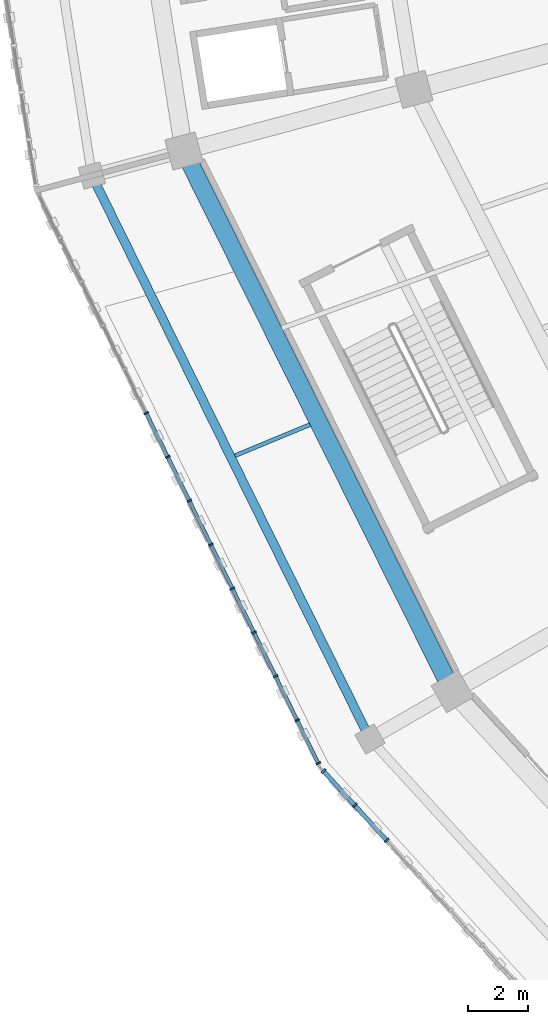
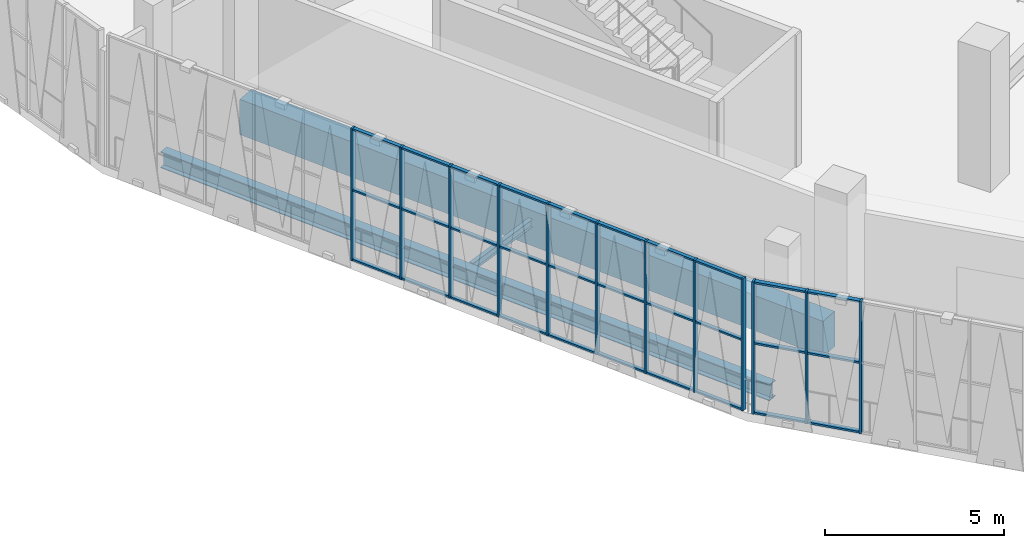
# One storey, part 8 of 179: 42 members, 3 beams, 2 elements without a shape of their own.
"""IFC4 building model written with IfcOpenShell, lengths in metres."""

import ifcopenshell
import ifcopenshell.guid

model = None  # the IFC model being written
_history = None  # IfcOwnerHistory: only IFC2X3 demands one
_inside = {}  # id of a spatial element -> (the spatial element, [elements in it])
_under = {}  # id of a project, library or spatial element -> (it, [spatial elements below it])
_declared = {}  # id of a project -> (the project, [libraries it declares])
_typed = {}  # id of a type object -> (the type object, [elements of that type])
_made_of = {}  # id of a material, layer set ... -> (it, [elements and type objects made of it])


def new_model(schema):
    """Start an empty IFC model of exactly this schema.

    Asked for "IFC4X3", IfcOpenShell would pick the latest addendum, in which some entities
    have other attributes; the version numbers below select the first issue.
    IFC2X3 requires an IfcOwnerHistory on every rooted entity: one is made here for all.
    """
    global model, _history
    if schema == "IFC4X3":
        model = ifcopenshell.file(schema_version=(4, 3, 0, 0))
    else:
        model = ifcopenshell.file(schema=schema)
    _inside.clear()
    _under.clear()
    _declared.clear()
    _typed.clear()
    _made_of.clear()
    _history = None
    if model.schema == "IFC2X3":
        org = make("IfcOrganization", Name="unknown")
        user = make(
            "IfcPersonAndOrganization",
            ThePerson=make("IfcPerson", FamilyName="unknown"),
            TheOrganization=org,
        )
        app = make(
            "IfcApplication",
            ApplicationDeveloper=org,
            Version="unknown",
            ApplicationFullName="unknown",
            ApplicationIdentifier="unknown",
        )
        _history = make(
            "IfcOwnerHistory",
            OwningUser=user,
            OwningApplication=app,
            ChangeAction="ADDED",
            CreationDate=0,
        )
    return model


def make(cls, **values):
    """One entity of the class cls with the attributes given. An attribute that is None is left unset."""
    return model.create_entity(
        cls, **{name: value for name, value in values.items() if value is not None}
    )


def rooted(cls, **values):
    """An entity with a GlobalId (a new one), such as an element, a storey or a relation."""
    return make(cls, GlobalId=ifcopenshell.guid.new(), OwnerHistory=_history, **values)


def si_unit(unit_type, name, prefix=None):
    """IfcSIUnit, for example si_unit("LENGTHUNIT", "METRE", prefix="MILLI")."""
    return make("IfcSIUnit", UnitType=unit_type, Prefix=prefix, Name=name)


def assignment(units):
    """IfcUnitAssignment: the units of a project."""
    return None if units is None else make("IfcUnitAssignment", Units=units)


def point(xyz):
    """IfcCartesianPoint."""
    return None if xyz is None else make("IfcCartesianPoint", Coordinates=xyz)


def direction(xyz):
    """IfcDirection."""
    return None if xyz is None else make("IfcDirection", DirectionRatios=xyz)


def frame(location, z_axis=None, x_axis=None):
    """IfcAxis2Placement3D, a coordinate frame: its origin and axes. An axis left out is left unset."""
    return make(
        "IfcAxis2Placement3D",
        Location=point(location),
        Axis=direction(z_axis),
        RefDirection=direction(x_axis),
    )


def frame_2d(location, x_axis=None):
    """IfcAxis2Placement2D, a coordinate frame in the plane: its origin and x axis."""
    return make(
        "IfcAxis2Placement2D", Location=point(location), RefDirection=direction(x_axis)
    )


def origin():
    """The frame at (0, 0, 0) with its axes left unset."""
    return frame((0.0, 0.0, 0.0))


def origin_2d():
    """The frame at (0, 0) in the plane with its x axis left unset."""
    return frame_2d((0.0, 0.0))


def place(relative_to, where):
    """IfcLocalPlacement: puts the frame where relative to a parent placement (None: the world)."""
    return make(
        "IfcLocalPlacement", PlacementRelTo=relative_to, RelativePlacement=where
    )


def context(
    kind, dimensions, precision=None, world=None, true_north=None, identifier=None
):
    """IfcGeometricRepresentationContext, for example the 3D "Model" context."""
    return make(
        "IfcGeometricRepresentationContext",
        ContextIdentifier=identifier,
        ContextType=kind,
        CoordinateSpaceDimension=dimensions,
        Precision=precision,
        WorldCoordinateSystem=world,
        TrueNorth=true_north,
    )


def subcontext(parent, identifier, kind, view, scale=None):
    """IfcGeometricRepresentationSubContext, for example "Body" below "Model"."""
    return make(
        "IfcGeometricRepresentationSubContext",
        ContextIdentifier=identifier,
        ContextType=kind,
        ParentContext=parent,
        TargetScale=scale,
        TargetView=view,
    )


def project(units=None, contexts=None):
    """IfcProject with its units and contexts."""
    return rooted(
        "IfcProject",
        Name="project",
        RepresentationContexts=contexts,
        UnitsInContext=assignment(units),
    )


def spatial(cls, under=None, at=None, **own):
    """A site, building, storey or space (cls), placed at a placement, below another one or the project."""
    s = rooted(cls, ObjectPlacement=at, **own)
    if under is not None:
        _under.setdefault(under.id(), (under, []))[1].append(s)
    return s


def profile(cls, at=None, kind="AREA", **sizes):
    """A parametric profile (cls). Its sizes go by their IFC names, for example OverallWidth=200.0."""
    return make(cls, ProfileType=kind, Position=at, **sizes)


def rectangle(**sizes):
    """IfcRectangleProfileDef."""
    return profile("IfcRectangleProfileDef", **sizes)


def i_section(**sizes):
    """IfcIShapeProfileDef."""
    return profile("IfcIShapeProfileDef", **sizes)


def extrude(swept, where, along, depth):
    """IfcExtrudedAreaSolid: the profile swept, set in the frame where, extruded along a direction by depth."""
    return make(
        "IfcExtrudedAreaSolid",
        SweptArea=swept,
        Position=where,
        ExtrudedDirection=direction(along),
        Depth=depth,
    )


def shape(context_of_items, identifier, shape_type, items):
    """IfcShapeRepresentation: the items that make up one representation, for example the "Body"."""
    return make(
        "IfcShapeRepresentation",
        ContextOfItems=context_of_items,
        RepresentationIdentifier=identifier,
        RepresentationType=shape_type,
        Items=items,
    )


def material(Name=None, Category=None):
    """IfcMaterial."""
    return make("IfcMaterial", Name=Name, Category=Category)


def material_profile(
    of_material, cross_section, Name=None, Category=None, Priority=None
):
    """IfcMaterialProfile: a cross section and its material."""
    return make(
        "IfcMaterialProfile",
        Name=Name,
        Material=of_material,
        Profile=cross_section,
        Priority=Priority,
        Category=Category,
    )


def profile_set(profiles, Name=None, composite=None):
    """IfcMaterialProfileSet."""
    return make(
        "IfcMaterialProfileSet",
        Name=Name,
        MaterialProfiles=profiles,
        CompositeProfile=composite,
    )


def made_of(thing, what):
    """Note that an element or type object is made of a material, layer set ...; save() writes the relation."""
    if what is not None:
        _made_of.setdefault(what.id(), (what, []))[1].append(thing)
    return thing


def type_object(cls, material=None, **own):
    """A type object (cls), such as IfcWallType, which elements share."""
    return made_of(rooted(cls, **own), material)


def element(
    cls,
    number,
    at=None,
    inside=None,
    cuts=None,
    type_object=None,
    material=None,
    context=None,
    identifier="Body",
    shape_type=None,
    held_by="IfcProductDefinitionShape",
    body=None,
    shapes=None,
    **own,
):
    """One element of the class cls, such as IfcWall. Its Tag is "e" and its number.

    at: its placement. inside: the storey or other place that contains it. cuts: it is an
    opening in that element (IfcRelVoidsElement). A single representation is given by context,
    identifier, shape_type and body (its items); several are given by shapes. held_by: the class
    of the entity that holds the representations. save() writes the other relations.
    """
    e = rooted(cls, Tag="e%d" % number, ObjectPlacement=at, **own)
    if body is not None:
        shapes = [shape(context, identifier, shape_type, body)]
    if shapes is not None:
        e.Representation = make(held_by, Representations=shapes)
    if inside is not None:
        _inside.setdefault(inside.id(), (inside, []))[1].append(e)
    if cuts is not None:
        rooted(
            "IfcRelVoidsElement", RelatingBuildingElement=cuts, RelatedOpeningElement=e
        )
    if type_object is not None:
        _typed.setdefault(type_object.id(), (type_object, []))[1].append(e)
    return made_of(e, material)


def aggregate(whole, parts):
    """IfcRelAggregates: a whole, such as a stair, and the parts it consists of."""
    return rooted("IfcRelAggregates", RelatingObject=whole, RelatedObjects=parts)


def save(model, path):
    """Write the relations noted so far, then the file.

    IfcRelAggregates (storeys below a building ...), IfcRelContainedInSpatialStructure (elements
    in a storey), IfcRelDefinesByType, IfcRelAssociatesMaterial and IfcRelDeclares: one each for
    every whole, place, type object, material and project.
    """
    for whole, parts in _under.values():
        aggregate(whole, parts)
    for where, things in _inside.values():
        rooted(
            "IfcRelContainedInSpatialStructure",
            RelatedElements=things,
            RelatingStructure=where,
        )
    for kind, things in _typed.values():
        rooted("IfcRelDefinesByType", RelatedObjects=things, RelatingType=kind)
    for what, things in _made_of.values():
        rooted("IfcRelAssociatesMaterial", RelatedObjects=things, RelatingMaterial=what)
    for by, libraries in _declared.values():
        rooted("IfcRelDeclares", RelatingContext=by, RelatedDefinitions=libraries)
    model.write(path)


model = new_model("IFC4")

# Units and contexts
model_context = context("Model", 3, precision=1e-05, world=origin(), true_north=direction((0.0, 1.0)))
body_context = subcontext(model_context, "Body", "Model", "MODEL_VIEW")
ifc_project = project(units=[si_unit("LENGTHUNIT", "METRE"), si_unit("AREAUNIT", "SQUARE_METRE"), si_unit("VOLUMEUNIT", "CUBIC_METRE"), si_unit("PLANEANGLEUNIT", "RADIAN"), si_unit("MASSUNIT", "GRAM", prefix="KILO")], contexts=[model_context])

# Site, building, storey
site_placement = place(None, origin())
site = spatial("IfcSite", under=ifc_project, at=site_placement, CompositionType="ELEMENT")
building_placement = place(site_placement, origin())
building = spatial("IfcBuilding", under=site, at=building_placement, Name="Zevraka Park Crest Stadium", CompositionType="ELEMENT")
storey_placement = place(building_placement, frame((0.0, 0.0, 10.199951171875)))
storey = spatial("IfcBuildingStorey", under=building, at=storey_placement, Name="L02", CompositionType="ELEMENT", Elevation=10.199951171875)

# Curtain wall, members
ifc_material_1 = material(Name="Anodised architectural aluminium and laminated safety glass", Category="aluminium")
curtain_wall_type_1 = type_object("IfcCurtainWallType", Name="CW07", PredefinedType="NOTDEFINED", material=ifc_material_1)
curtain_wall_1_placement = place(storey_placement, origin())
curtain_wall_1 = element("IfcCurtainWall", 1, at=curtain_wall_1_placement, inside=storey, type_object=curtain_wall_type_1, Name="Unitised Ring Curtain Wall CW07 L02-13", PredefinedType="NOTDEFINED")
ifc_material_2 = material(Name="Anodised architectural aluminium", Category="aluminium")
ifc_material_profile_1 = material_profile(ifc_material_2, rectangle(XDim=0.159912109375, YDim=0.06005859375, at=origin_2d()), Name="ALU MULLION 160x60")
ifc_profile_set_1 = profile_set([ifc_material_profile_1], Name="Anodised architectural aluminium")
member_type_1 = type_object("IfcMemberType", Name="CM01", PredefinedType="MULLION", material=ifc_profile_set_1)
member_1_placement = place(storey_placement, frame((23.510009765625, 63.704345703125, 0.0), z_axis=(0.0, 0.0, 1.0), x_axis=(0.897496768201, 0.441021032455, 0.0)))
member_1 = element("IfcMember", 2, at=member_1_placement, type_object=member_type_1, Name="CW07 mullion 6", PredefinedType="MULLION", context=body_context, shape_type="SweptSolid", body=[
    extrude(rectangle(XDim=0.159912109375, YDim=0.06005859375, at=origin_2d()), origin(), (0.0, 0.0, 1.0), 4.5),
])
member_2_placement = place(storey_placement, frame((24.234375, 62.22998046875, 0.0), z_axis=(0.0, 0.0, 1.0), x_axis=(0.897496768201, 0.441021032455, 0.0)))
member_2 = element("IfcMember", 3, at=member_2_placement, type_object=member_type_1, Name="CW07 mullion 7", PredefinedType="MULLION", context=body_context, shape_type="SweptSolid", body=[
    extrude(rectangle(XDim=0.159912109375, YDim=0.06005859375, at=origin_2d()), origin(), (0.0, 0.0, 1.0), 4.5),
])
member_3_placement = place(storey_placement, frame((24.958740234375, 60.755859375, 0.0), z_axis=(0.0, 0.0, 1.0), x_axis=(0.897496768201, 0.441021032455, 0.0)))
member_3 = element("IfcMember", 4, at=member_3_placement, type_object=member_type_1, Name="CW07 mullion 8", PredefinedType="MULLION", context=body_context, shape_type="SweptSolid", body=[
    extrude(rectangle(XDim=0.159912109375, YDim=0.06005859375, at=origin_2d()), origin(), (0.0, 0.0, 1.0), 4.5),
])
member_4_placement = place(storey_placement, frame((25.68310546875, 59.28173828125, 0.0), z_axis=(0.0, 0.0, 1.0), x_axis=(0.897496768201, 0.441021032455, 0.0)))
member_4 = element("IfcMember", 5, at=member_4_placement, type_object=member_type_1, Name="CW07 mullion 9", PredefinedType="MULLION", context=body_context, shape_type="SweptSolid", body=[
    extrude(rectangle(XDim=0.159912109375, YDim=0.06005859375, at=origin_2d()), origin(), (0.0, 0.0, 1.0), 4.5),
])
member_5_placement = place(storey_placement, frame((26.407470703125, 57.8076171875, 0.0), z_axis=(0.0, 0.0, 1.0), x_axis=(0.897496768201, 0.441021032455, 0.0)))
member_5 = element("IfcMember", 6, at=member_5_placement, type_object=member_type_1, Name="CW07 mullion 10", PredefinedType="MULLION", context=body_context, shape_type="SweptSolid", body=[
    extrude(rectangle(XDim=0.159912109375, YDim=0.06005859375, at=origin_2d()), origin(), (0.0, 0.0, 1.0), 4.5),
])
member_6_placement = place(storey_placement, frame((27.1318359375, 56.33349609375, 0.0), z_axis=(0.0, 0.0, 1.0), x_axis=(0.897496768201, 0.441021032455, 0.0)))
member_6 = element("IfcMember", 7, at=member_6_placement, type_object=member_type_1, Name="CW07 mullion 11", PredefinedType="MULLION", context=body_context, shape_type="SweptSolid", body=[
    extrude(rectangle(XDim=0.159912109375, YDim=0.06005859375, at=origin_2d()), origin(), (0.0, 0.0, 1.0), 4.5),
])
member_7_placement = place(storey_placement, frame((27.856201171875, 54.859375, 0.0), z_axis=(0.0, 0.0, 1.0), x_axis=(0.897496768201, 0.441021032455, 0.0)))
member_7 = element("IfcMember", 8, at=member_7_placement, type_object=member_type_1, Name="CW07 mullion 12", PredefinedType="MULLION", context=body_context, shape_type="SweptSolid", body=[
    extrude(rectangle(XDim=0.159912109375, YDim=0.06005859375, at=origin_2d()), origin(), (0.0, 0.0, 1.0), 4.5),
])
member_8_placement = place(storey_placement, frame((28.58056640625, 53.38525390625, 0.0), z_axis=(0.0, 0.0, 1.0), x_axis=(0.897496768201, 0.441021032455, 0.0)))
member_8 = element("IfcMember", 9, at=member_8_placement, type_object=member_type_1, Name="CW07 mullion 13", PredefinedType="MULLION", context=body_context, shape_type="SweptSolid", body=[
    extrude(rectangle(XDim=0.159912109375, YDim=0.06005859375, at=origin_2d()), origin(), (0.0, 0.0, 1.0), 4.5),
])
member_9_placement = place(storey_placement, frame((29.291748046875, 51.93798828125, 0.0), z_axis=(0.0, 0.0, 1.0), x_axis=(0.897496768201, 0.441021032455, 0.0)))
member_9 = element("IfcMember", 10, at=member_9_placement, type_object=member_type_1, Name="CW07 mullion 14", PredefinedType="MULLION", context=body_context, shape_type="SweptSolid", body=[
    extrude(rectangle(XDim=0.159912109375, YDim=0.06005859375, at=origin_2d()), origin(), (0.0, 0.0, 1.0), 4.5),
])

ifc_material_3 = material(Name="Anodised architectural aluminium and laminated safety glass", Category="aluminium")
curtain_wall_type_2 = type_object("IfcCurtainWallType", Name="CW08", PredefinedType="NOTDEFINED", material=ifc_material_3)
curtain_wall_2_placement = place(storey_placement, origin())
curtain_wall_2 = element("IfcCurtainWall", 11, at=curtain_wall_2_placement, inside=storey, type_object=curtain_wall_type_2, Name="Unitised Ring Curtain Wall CW08 L02-14", PredefinedType="NOTDEFINED")
ifc_material_4 = material(Name="Anodised architectural aluminium", Category="aluminium")
ifc_material_profile_2 = material_profile(ifc_material_4, rectangle(XDim=0.179931640625, YDim=0.06494140625, at=origin_2d()), Name="ALU MULLION 180x65")
ifc_profile_set_2 = profile_set([ifc_material_profile_2], Name="Anodised architectural aluminium")
member_type_2 = type_object("IfcMemberType", Name="CM02", PredefinedType="MULLION", material=ifc_profile_set_2)
member_10_placement = place(storey_placement, frame((29.469970703125, 51.676025390625, 0.0), z_axis=(0.0, 0.0, 1.0), x_axis=(0.739496877097, 0.673159987494, 0.0)))
member_10 = element("IfcMember", 12, at=member_10_placement, type_object=member_type_2, Name="CW08 mullion 1", PredefinedType="MULLION", context=body_context, shape_type="SweptSolid", body=[
    extrude(rectangle(XDim=0.179931640625, YDim=0.06494140625, at=origin_2d()), origin(), (0.0, 0.0, 1.0), 4.5),
])
member_11_placement = place(storey_placement, frame((30.5185546875, 50.52392578125, 0.0), z_axis=(0.0, 0.0, 1.0), x_axis=(0.739496877097, 0.673159987494, 0.0)))
member_11 = element("IfcMember", 13, at=member_11_placement, type_object=member_type_2, Name="CW08 mullion 2", PredefinedType="MULLION", context=body_context, shape_type="SweptSolid", body=[
    extrude(rectangle(XDim=0.179931640625, YDim=0.06494140625, at=origin_2d()), origin(), (0.0, 0.0, 1.0), 4.5),
])
member_12_placement = place(storey_placement, frame((31.589111328125, 49.347900390625, 0.0), z_axis=(0.0, 0.0, 1.0), x_axis=(0.739496877097, 0.673159987494, 0.0)))
member_12 = element("IfcMember", 14, at=member_12_placement, type_object=member_type_2, Name="CW08 mullion 3", PredefinedType="MULLION", context=body_context, shape_type="SweptSolid", body=[
    extrude(rectangle(XDim=0.179931640625, YDim=0.06494140625, at=origin_2d()), origin(), (0.0, 0.0, 1.0), 4.5),
])

# Member
ifc_material_5 = material(Name="Anodised architectural aluminium", Category="aluminium")
ifc_material_profile_3 = material_profile(ifc_material_5, rectangle(XDim=0.1201171875, YDim=0.06005859375, at=origin_2d()), Name="ALU TRANSOM 120x60")
ifc_profile_set_3 = profile_set([ifc_material_profile_3], Name="Anodised architectural aluminium")
member_type_3 = type_object("IfcMemberType", Name="CT01", PredefinedType="USERDEFINED", material=ifc_profile_set_3)
member_13_placement = place(storey_placement, frame((23.523193359375, 63.67724609375, 0.030029296875), z_axis=(0.441093576416, -0.897461117177, 0.0), x_axis=(0.897461117177, 0.441093576416, 0.0)))
member_13 = element("IfcMember", 15, at=member_13_placement, type_object=member_type_3, Name="CW07 transom 6.1", ObjectType="TRANSOM", PredefinedType="USERDEFINED", context=body_context, shape_type="SweptSolid", body=[
    extrude(rectangle(XDim=0.1201171875, YDim=0.06005859375, at=origin_2d()), origin(), (0.0, 0.0, 1.0), 1.58251953125),
])

member_14_placement = place(storey_placement, frame((23.523193359375, 63.67724609375, 2.400146484375), z_axis=(0.441093576416, -0.897461117177, 0.0), x_axis=(0.897461117177, 0.441093576416, 0.0)))
member_14 = element("IfcMember", 16, at=member_14_placement, type_object=member_type_3, Name="CW07 transom 6.2", ObjectType="TRANSOM", PredefinedType="USERDEFINED", context=body_context, shape_type="SweptSolid", body=[
    extrude(rectangle(XDim=0.1201171875, YDim=0.06005859375, at=origin_2d()), origin(), (0.0, 0.0, 1.0), 1.58251953125),
])

member_15_placement = place(storey_placement, frame((23.523193359375, 63.67724609375, 4.469970703125), z_axis=(0.441093576416, -0.897461117177, 0.0), x_axis=(0.897461117177, 0.441093576416, 0.0)))
member_15 = element("IfcMember", 17, at=member_15_placement, type_object=member_type_3, Name="CW07 transom 6.3", ObjectType="TRANSOM", PredefinedType="USERDEFINED", context=body_context, shape_type="SweptSolid", body=[
    extrude(rectangle(XDim=0.1201171875, YDim=0.06005859375, at=origin_2d()), origin(), (0.0, 0.0, 1.0), 1.58251953125),
])

member_16_placement = place(storey_placement, frame((24.24755859375, 62.203125, 0.030029296875), z_axis=(0.441093576416, -0.897461117177, 0.0), x_axis=(0.897461117177, 0.441093576416, 0.0)))
member_16 = element("IfcMember", 18, at=member_16_placement, type_object=member_type_3, Name="CW07 transom 7.1", ObjectType="TRANSOM", PredefinedType="USERDEFINED", context=body_context, shape_type="SweptSolid", body=[
    extrude(rectangle(XDim=0.1201171875, YDim=0.06005859375, at=origin_2d()), origin(), (0.0, 0.0, 1.0), 1.58251953125),
])

member_17_placement = place(storey_placement, frame((24.24755859375, 62.203125, 2.400146484375), z_axis=(0.441093576416, -0.897461117177, 0.0), x_axis=(0.897461117177, 0.441093576416, 0.0)))
member_17 = element("IfcMember", 19, at=member_17_placement, type_object=member_type_3, Name="CW07 transom 7.2", ObjectType="TRANSOM", PredefinedType="USERDEFINED", context=body_context, shape_type="SweptSolid", body=[
    extrude(rectangle(XDim=0.1201171875, YDim=0.06005859375, at=origin_2d()), origin(), (0.0, 0.0, 1.0), 1.58251953125),
])

member_18_placement = place(storey_placement, frame((24.24755859375, 62.203125, 4.469970703125), z_axis=(0.441093576416, -0.897461117177, 0.0), x_axis=(0.897461117177, 0.441093576416, 0.0)))
member_18 = element("IfcMember", 20, at=member_18_placement, type_object=member_type_3, Name="CW07 transom 7.3", ObjectType="TRANSOM", PredefinedType="USERDEFINED", context=body_context, shape_type="SweptSolid", body=[
    extrude(rectangle(XDim=0.1201171875, YDim=0.06005859375, at=origin_2d()), origin(), (0.0, 0.0, 1.0), 1.58251953125),
])

member_19_placement = place(storey_placement, frame((24.971923828125, 60.72900390625, 0.030029296875), z_axis=(0.441032508924, -0.897491128687, 0.0), x_axis=(0.897491128687, 0.441032508924, 0.0)))
member_19 = element("IfcMember", 21, at=member_19_placement, type_object=member_type_3, Name="CW07 transom 8.1", ObjectType="TRANSOM", PredefinedType="USERDEFINED", context=body_context, shape_type="SweptSolid", body=[
    extrude(rectangle(XDim=0.1201171875, YDim=0.06005859375, at=origin_2d()), origin(), (0.0, 0.0, 1.0), 1.582763671875),
])

member_20_placement = place(storey_placement, frame((24.971923828125, 60.72900390625, 2.400146484375), z_axis=(0.441032508924, -0.897491128687, 0.0), x_axis=(0.897491128687, 0.441032508924, 0.0)))
member_20 = element("IfcMember", 22, at=member_20_placement, type_object=member_type_3, Name="CW07 transom 8.2", ObjectType="TRANSOM", PredefinedType="USERDEFINED", context=body_context, shape_type="SweptSolid", body=[
    extrude(rectangle(XDim=0.1201171875, YDim=0.06005859375, at=origin_2d()), origin(), (0.0, 0.0, 1.0), 1.582763671875),
])

member_21_placement = place(storey_placement, frame((24.971923828125, 60.72900390625, 4.469970703125), z_axis=(0.441032508924, -0.897491128687, 0.0), x_axis=(0.897491128687, 0.441032508924, 0.0)))
member_21 = element("IfcMember", 23, at=member_21_placement, type_object=member_type_3, Name="CW07 transom 8.3", ObjectType="TRANSOM", PredefinedType="USERDEFINED", context=body_context, shape_type="SweptSolid", body=[
    extrude(rectangle(XDim=0.1201171875, YDim=0.06005859375, at=origin_2d()), origin(), (0.0, 0.0, 1.0), 1.582763671875),
])

member_22_placement = place(storey_placement, frame((25.6962890625, 59.2548828125, 0.030029296875), z_axis=(0.441032508924, -0.897491128687, 0.0), x_axis=(0.897491128687, 0.441032508924, 0.0)))
member_22 = element("IfcMember", 24, at=member_22_placement, type_object=member_type_3, Name="CW07 transom 9.1", ObjectType="TRANSOM", PredefinedType="USERDEFINED", context=body_context, shape_type="SweptSolid", body=[
    extrude(rectangle(XDim=0.1201171875, YDim=0.06005859375, at=origin_2d()), origin(), (0.0, 0.0, 1.0), 1.582763671875),
])

member_23_placement = place(storey_placement, frame((25.6962890625, 59.2548828125, 2.400146484375), z_axis=(0.441032508924, -0.897491128687, 0.0), x_axis=(0.897491128687, 0.441032508924, 0.0)))
member_23 = element("IfcMember", 25, at=member_23_placement, type_object=member_type_3, Name="CW07 transom 9.2", ObjectType="TRANSOM", PredefinedType="USERDEFINED", context=body_context, shape_type="SweptSolid", body=[
    extrude(rectangle(XDim=0.1201171875, YDim=0.06005859375, at=origin_2d()), origin(), (0.0, 0.0, 1.0), 1.582763671875),
])

member_24_placement = place(storey_placement, frame((25.6962890625, 59.2548828125, 4.469970703125), z_axis=(0.441032508924, -0.897491128687, 0.0), x_axis=(0.897491128687, 0.441032508924, 0.0)))
member_24 = element("IfcMember", 26, at=member_24_placement, type_object=member_type_3, Name="CW07 transom 9.3", ObjectType="TRANSOM", PredefinedType="USERDEFINED", context=body_context, shape_type="SweptSolid", body=[
    extrude(rectangle(XDim=0.1201171875, YDim=0.06005859375, at=origin_2d()), origin(), (0.0, 0.0, 1.0), 1.582763671875),
])

member_25_placement = place(storey_placement, frame((26.420654296875, 57.78076171875, 0.030029296875), z_axis=(0.441032508924, -0.897491128687, 0.0), x_axis=(0.897491128687, 0.441032508924, 0.0)))
member_25 = element("IfcMember", 27, at=member_25_placement, type_object=member_type_3, Name="CW07 transom 10.1", ObjectType="TRANSOM", PredefinedType="USERDEFINED", context=body_context, shape_type="SweptSolid", body=[
    extrude(rectangle(XDim=0.1201171875, YDim=0.06005859375, at=origin_2d()), origin(), (0.0, 0.0, 1.0), 1.582763671875),
])

member_26_placement = place(storey_placement, frame((26.420654296875, 57.78076171875, 2.400146484375), z_axis=(0.441032508924, -0.897491128687, 0.0), x_axis=(0.897491128687, 0.441032508924, 0.0)))
member_26 = element("IfcMember", 28, at=member_26_placement, type_object=member_type_3, Name="CW07 transom 10.2", ObjectType="TRANSOM", PredefinedType="USERDEFINED", context=body_context, shape_type="SweptSolid", body=[
    extrude(rectangle(XDim=0.1201171875, YDim=0.06005859375, at=origin_2d()), origin(), (0.0, 0.0, 1.0), 1.582763671875),
])

member_27_placement = place(storey_placement, frame((26.420654296875, 57.78076171875, 4.469970703125), z_axis=(0.441032508924, -0.897491128687, 0.0), x_axis=(0.897491128687, 0.441032508924, 0.0)))
member_27 = element("IfcMember", 29, at=member_27_placement, type_object=member_type_3, Name="CW07 transom 10.3", ObjectType="TRANSOM", PredefinedType="USERDEFINED", context=body_context, shape_type="SweptSolid", body=[
    extrude(rectangle(XDim=0.1201171875, YDim=0.06005859375, at=origin_2d()), origin(), (0.0, 0.0, 1.0), 1.582763671875),
])

member_28_placement = place(storey_placement, frame((27.14501953125, 56.306640625, 0.030029296875), z_axis=(0.441032508924, -0.897491128687, 0.0), x_axis=(0.897491128687, 0.441032508924, 0.0)))
member_28 = element("IfcMember", 30, at=member_28_placement, type_object=member_type_3, Name="CW07 transom 11.1", ObjectType="TRANSOM", PredefinedType="USERDEFINED", context=body_context, shape_type="SweptSolid", body=[
    extrude(rectangle(XDim=0.1201171875, YDim=0.06005859375, at=origin_2d()), origin(), (0.0, 0.0, 1.0), 1.582763671875),
])

member_29_placement = place(storey_placement, frame((27.14501953125, 56.306640625, 2.400146484375), z_axis=(0.441032508924, -0.897491128687, 0.0), x_axis=(0.897491128687, 0.441032508924, 0.0)))
member_29 = element("IfcMember", 31, at=member_29_placement, type_object=member_type_3, Name="CW07 transom 11.2", ObjectType="TRANSOM", PredefinedType="USERDEFINED", context=body_context, shape_type="SweptSolid", body=[
    extrude(rectangle(XDim=0.1201171875, YDim=0.06005859375, at=origin_2d()), origin(), (0.0, 0.0, 1.0), 1.582763671875),
])

member_30_placement = place(storey_placement, frame((27.14501953125, 56.306640625, 4.469970703125), z_axis=(0.441032508924, -0.897491128687, 0.0), x_axis=(0.897491128687, 0.441032508924, 0.0)))
member_30 = element("IfcMember", 32, at=member_30_placement, type_object=member_type_3, Name="CW07 transom 11.3", ObjectType="TRANSOM", PredefinedType="USERDEFINED", context=body_context, shape_type="SweptSolid", body=[
    extrude(rectangle(XDim=0.1201171875, YDim=0.06005859375, at=origin_2d()), origin(), (0.0, 0.0, 1.0), 1.582763671875),
])

member_31_placement = place(storey_placement, frame((27.869384765625, 54.832275390625, 0.030029296875), z_axis=(0.441093576416, -0.897461117177, 0.0), x_axis=(0.897461117177, 0.441093576416, 0.0)))
member_31 = element("IfcMember", 33, at=member_31_placement, type_object=member_type_3, Name="CW07 transom 12.1", ObjectType="TRANSOM", PredefinedType="USERDEFINED", context=body_context, shape_type="SweptSolid", body=[
    extrude(rectangle(XDim=0.1201171875, YDim=0.06005859375, at=origin_2d()), origin(), (0.0, 0.0, 1.0), 1.58251953125),
])

member_32_placement = place(storey_placement, frame((27.869384765625, 54.832275390625, 2.400146484375), z_axis=(0.441093576416, -0.897461117177, 0.0), x_axis=(0.897461117177, 0.441093576416, 0.0)))
member_32 = element("IfcMember", 34, at=member_32_placement, type_object=member_type_3, Name="CW07 transom 12.2", ObjectType="TRANSOM", PredefinedType="USERDEFINED", context=body_context, shape_type="SweptSolid", body=[
    extrude(rectangle(XDim=0.1201171875, YDim=0.06005859375, at=origin_2d()), origin(), (0.0, 0.0, 1.0), 1.58251953125),
])

member_33_placement = place(storey_placement, frame((27.869384765625, 54.832275390625, 4.469970703125), z_axis=(0.441093576416, -0.897461117177, 0.0), x_axis=(0.897461117177, 0.441093576416, 0.0)))
member_33 = element("IfcMember", 35, at=member_33_placement, type_object=member_type_3, Name="CW07 transom 12.3", ObjectType="TRANSOM", PredefinedType="USERDEFINED", context=body_context, shape_type="SweptSolid", body=[
    extrude(rectangle(XDim=0.1201171875, YDim=0.06005859375, at=origin_2d()), origin(), (0.0, 0.0, 1.0), 1.58251953125),
])

member_34_placement = place(storey_placement, frame((28.59375, 53.358154296875, 0.030029296875), z_axis=(0.441101676323, -0.897457136105, 0.0), x_axis=(0.897457136105, 0.441101676323, 0.0)))
member_34 = element("IfcMember", 36, at=member_34_placement, type_object=member_type_3, Name="CW07 transom 13.1", ObjectType="TRANSOM", PredefinedType="USERDEFINED", context=body_context, shape_type="SweptSolid", body=[
    extrude(rectangle(XDim=0.1201171875, YDim=0.06005859375, at=origin_2d()), origin(), (0.0, 0.0, 1.0), 1.552490234375),
])

member_35_placement = place(storey_placement, frame((28.59375, 53.358154296875, 2.400146484375), z_axis=(0.441101676323, -0.897457136105, 0.0), x_axis=(0.897457136105, 0.441101676323, 0.0)))
member_35 = element("IfcMember", 37, at=member_35_placement, type_object=member_type_3, Name="CW07 transom 13.2", ObjectType="TRANSOM", PredefinedType="USERDEFINED", context=body_context, shape_type="SweptSolid", body=[
    extrude(rectangle(XDim=0.1201171875, YDim=0.06005859375, at=origin_2d()), origin(), (0.0, 0.0, 1.0), 1.552490234375),
])

member_36_placement = place(storey_placement, frame((28.59375, 53.358154296875, 4.469970703125), z_axis=(0.441101676323, -0.897457136105, 0.0), x_axis=(0.897457136105, 0.441101676323, 0.0)))
member_36 = element("IfcMember", 38, at=member_36_placement, type_object=member_type_3, Name="CW07 transom 13.3", ObjectType="TRANSOM", PredefinedType="USERDEFINED", context=body_context, shape_type="SweptSolid", body=[
    extrude(rectangle(XDim=0.1201171875, YDim=0.06005859375, at=origin_2d()), origin(), (0.0, 0.0, 1.0), 1.552490234375),
])

aggregate(curtain_wall_1, [member_1, member_2, member_3, member_4, member_5, member_6, member_7, member_8, member_9, member_13, member_14, member_15, member_16, member_17, member_18, member_19, member_20, member_21, member_22, member_23, member_24, member_25, member_26, member_27, member_28, member_29, member_30, member_31, member_32, member_33, member_34, member_35, member_36])

ifc_material_6 = material(Name="Anodised architectural aluminium", Category="aluminium")
ifc_material_profile_4 = material_profile(ifc_material_6, rectangle(XDim=0.139892578125, YDim=0.06494140625, at=origin_2d()), Name="ALU TRANSOM 140x65")
ifc_profile_set_4 = profile_set([ifc_material_profile_4], Name="Anodised architectural aluminium")
member_type_4 = type_object("IfcMemberType", Name="CT02", PredefinedType="USERDEFINED", material=ifc_profile_set_4)
member_37_placement = place(storey_placement, frame((29.49169921875, 51.65185546875, 0.032470703125), z_axis=(0.673128504906, -0.739525534301, 0.0), x_axis=(0.739525534301, 0.673128504906, 0.0)))
member_37 = element("IfcMember", 39, at=member_37_placement, type_object=member_type_4, Name="CW08 transom 1.1", ObjectType="TRANSOM", PredefinedType="USERDEFINED", context=body_context, shape_type="SweptSolid", body=[
    extrude(rectangle(XDim=0.139892578125, YDim=0.06494140625, at=origin_2d()), origin(), (0.0, 0.0, 1.0), 1.492919921875),
])

member_38_placement = place(storey_placement, frame((29.49169921875, 51.65185546875, 2.400146484375), z_axis=(0.673128504906, -0.739525534301, 0.0), x_axis=(0.739525534301, 0.673128504906, 0.0)))
member_38 = element("IfcMember", 40, at=member_38_placement, type_object=member_type_4, Name="CW08 transom 1.2", ObjectType="TRANSOM", PredefinedType="USERDEFINED", context=body_context, shape_type="SweptSolid", body=[
    extrude(rectangle(XDim=0.139892578125, YDim=0.06494140625, at=origin_2d()), origin(), (0.0, 0.0, 1.0), 1.492919921875),
])

member_39_placement = place(storey_placement, frame((29.49169921875, 51.65185546875, 4.467529296875), z_axis=(0.673128504906, -0.739525534301, 0.0), x_axis=(0.739525534301, 0.673128504906, 0.0)))
member_39 = element("IfcMember", 41, at=member_39_placement, type_object=member_type_4, Name="CW08 transom 1.3", ObjectType="TRANSOM", PredefinedType="USERDEFINED", context=body_context, shape_type="SweptSolid", body=[
    extrude(rectangle(XDim=0.139892578125, YDim=0.06494140625, at=origin_2d()), origin(), (0.0, 0.0, 1.0), 1.492919921875),
])

member_40_placement = place(storey_placement, frame((30.54052734375, 50.5, 0.032470703125), z_axis=(0.673118749814, -0.739534413431, 0.0), x_axis=(0.739534413431, 0.673118749814, 0.0)))
member_40 = element("IfcMember", 42, at=member_40_placement, type_object=member_type_4, Name="CW08 transom 2.1", ObjectType="TRANSOM", PredefinedType="USERDEFINED", context=body_context, shape_type="SweptSolid", body=[
    extrude(rectangle(XDim=0.139892578125, YDim=0.06494140625, at=origin_2d()), origin(), (0.0, 0.0, 1.0), 1.525634765625),
])

member_41_placement = place(storey_placement, frame((30.54052734375, 50.5, 2.400146484375), z_axis=(0.673118749814, -0.739534413431, 0.0), x_axis=(0.739534413431, 0.673118749814, 0.0)))
member_41 = element("IfcMember", 43, at=member_41_placement, type_object=member_type_4, Name="CW08 transom 2.2", ObjectType="TRANSOM", PredefinedType="USERDEFINED", context=body_context, shape_type="SweptSolid", body=[
    extrude(rectangle(XDim=0.139892578125, YDim=0.06494140625, at=origin_2d()), origin(), (0.0, 0.0, 1.0), 1.525634765625),
])

member_42_placement = place(storey_placement, frame((30.54052734375, 50.5, 4.467529296875), z_axis=(0.673118749814, -0.739534413431, 0.0), x_axis=(0.739534413431, 0.673118749814, 0.0)))
member_42 = element("IfcMember", 44, at=member_42_placement, type_object=member_type_4, Name="CW08 transom 2.3", ObjectType="TRANSOM", PredefinedType="USERDEFINED", context=body_context, shape_type="SweptSolid", body=[
    extrude(rectangle(XDim=0.139892578125, YDim=0.06494140625, at=origin_2d()), origin(), (0.0, 0.0, 1.0), 1.525634765625),
])

aggregate(curtain_wall_2, [member_10, member_11, member_12, member_37, member_38, member_39, member_40, member_41, member_42])

# Beams
ifc_material_7 = material(Name="Concrete C40/50", Category="concrete")
ifc_material_profile_5 = material_profile(ifc_material_7, rectangle(XDim=0.60009765625, YDim=1.199951171875, at=origin_2d()), Name="RC 1200x600")
ifc_profile_set_5 = profile_set([ifc_material_profile_5], Name="Concrete C40/50")
beam_type_1 = type_object("IfcBeamType", Name="RB01", PredefinedType="BEAM", material=ifc_profile_set_5)
beam_1_placement = place(storey_placement, frame((24.946044921875, 72.1708984375, -0.60986328125), z_axis=(0.444850507814, -0.895604837916, 0.0), x_axis=(0.895604837916, 0.444850507814, 0.0)))
element("IfcBeam", 45, at=beam_1_placement, inside=storey, type_object=beam_type_1, Name="Ring Beam RB01 L02-D-13", PredefinedType="BEAM", context=body_context, shape_type="SweptSolid", body=[
    extrude(rectangle(XDim=0.60009765625, YDim=1.199951171875, at=origin_2d()), origin(), (0.0, 0.0, 1.0), 19.5185546875),
])
ifc_material_8 = material(Name="Steel S355", Category="steel")
ifc_material_profile_6 = material_profile(ifc_material_8, i_section(OverallWidth=0.300048828125, OverallDepth=0.550048828125, WebThickness=0.014892578125, FlangeThickness=0.029052734375, at=origin_2d()), Name="HEB 550")
ifc_profile_set_6 = profile_set([ifc_material_profile_6], Name="Steel S355")
beam_type_2 = type_object("IfcBeamType", Name="RB04", PredefinedType="BEAM", material=ifc_profile_set_6)
beam_2_placement = place(storey_placement, frame((21.841064453125, 71.368896484375, -0.5849609375), z_axis=(0.442446810597, -0.896794747862, 0.0), x_axis=(0.896794747862, 0.442446810597, 0.0)))
element("IfcBeam", 46, at=beam_2_placement, inside=storey, type_object=beam_type_2, Name="Ring Beam RB04 L02-E-13", PredefinedType="BEAM", context=body_context, shape_type="SweptSolid", body=[
    extrude(i_section(OverallWidth=0.300048828125, OverallDepth=0.550048828125, WebThickness=0.014892578125, FlangeThickness=0.029052734375, at=origin_2d()), origin(), (0.0, 0.0, 1.0), 20.41162109375),
])
ifc_material_9 = material(Name="Steel S355", Category="steel")
ifc_material_profile_7 = material_profile(ifc_material_9, i_section(OverallWidth=0.135009765625, OverallDepth=0.27001953125, WebThickness=0.006591796875, FlangeThickness=0.01025390625, at=origin_2d()), Name="IPE 270")
ifc_profile_set_7 = profile_set([ifc_material_profile_7], Name="Steel S355")
beam_type_3 = type_object("IfcBeamType", Name="SJ07", PredefinedType="JOIST", material=ifc_profile_set_7)
beam_3_placement = place(storey_placement, frame((29.014892578125, 63.318115234375, -0.4228515625), z_axis=(-0.923841523408, -0.382775181571, 0.0), x_axis=(0.382775181571, -0.923841523408, 0.0)))
element("IfcBeam", 47, at=beam_3_placement, inside=storey, type_object=beam_type_3, Name="Floor Joist SJ07 L02-DE-13-1", PredefinedType="JOIST", context=body_context, shape_type="SweptSolid", body=[
    extrude(i_section(OverallWidth=0.135009765625, OverallDepth=0.27001953125, WebThickness=0.006591796875, FlangeThickness=0.01025390625, at=origin_2d()), origin(), (0.0, 0.0, 1.0), 2.733154296875),
])

save(model, "model.ifc")
